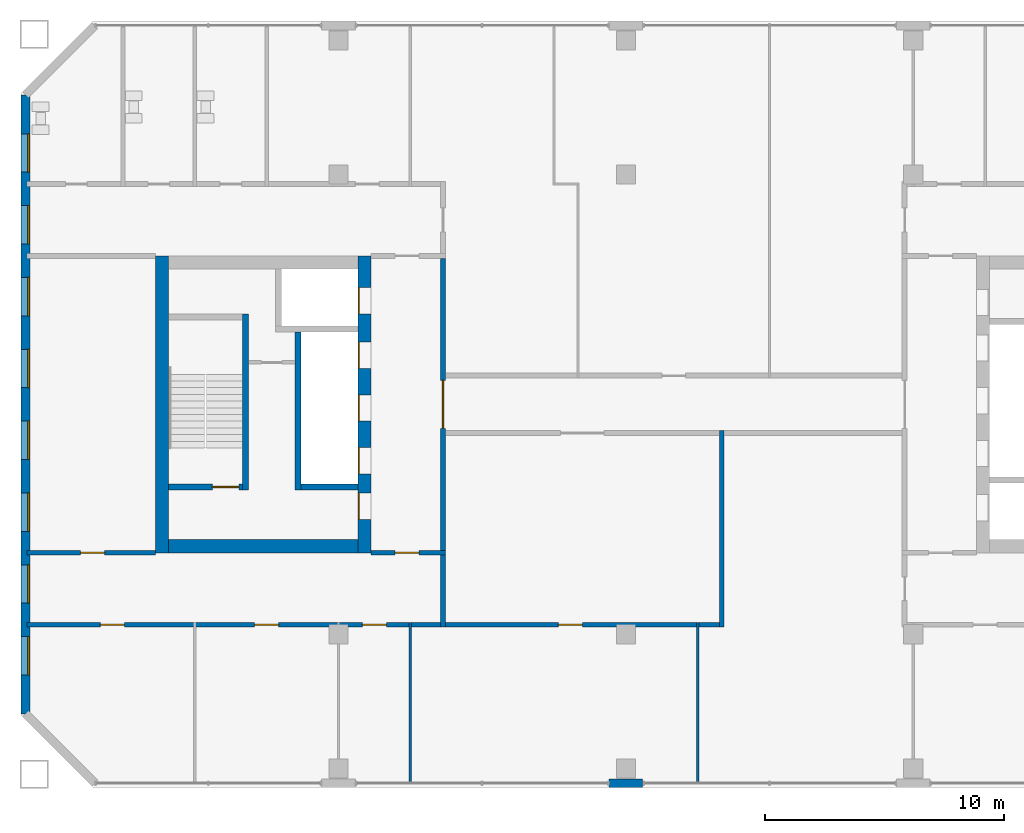
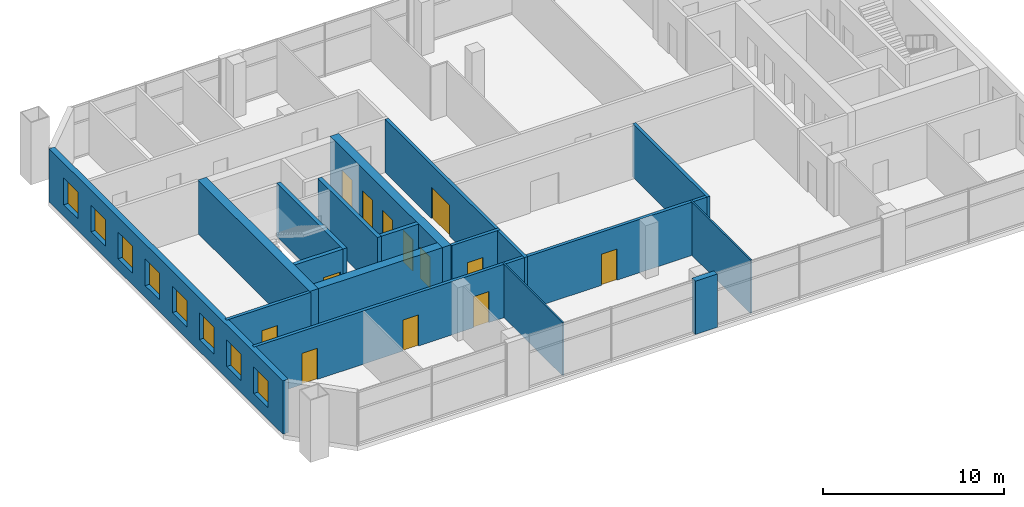
# One storey, part 9 of 17: 17 walls, 13 doors, 8 windows, 21 openings.
"""IFC4 building model written with IfcOpenShell, lengths in metres."""

from ifc_helpers import new_model, si_unit, direction, frame, frame_2d, origin, place, context, subcontext, project, spatial, rectangle, extrude, material, layer, layer_set, type_object, element, fill, save


model = new_model("IFC4")

# Units and contexts
model_context = context("Model", 3, precision=1e-05, world=origin(), true_north=direction((0.0, 1.0)))
body_context = subcontext(model_context, "Body", "Model", "MODEL_VIEW")
ifc_project = project(units=[si_unit("LENGTHUNIT", "METRE"), si_unit("AREAUNIT", "SQUARE_METRE"), si_unit("VOLUMEUNIT", "CUBIC_METRE"), si_unit("PLANEANGLEUNIT", "RADIAN"), si_unit("MASSUNIT", "GRAM", prefix="KILO")], contexts=[model_context])

# Site, building, storey
site_placement = place(None, origin())
site = spatial("IfcSite", under=ifc_project, at=site_placement, CompositionType="ELEMENT")
building_placement = place(site_placement, origin())
building = spatial("IfcBuilding", under=site, at=building_placement, Name="Tuart Gate Housing", CompositionType="ELEMENT")
storey_placement = place(building_placement, frame((0.0, 0.0, 119.5)))
storey = spatial("IfcBuildingStorey", under=building, at=storey_placement, Name="L33", CompositionType="ELEMENT", Elevation=119.5)

# Wall
ifc_material_1 = material(Name="Brick", Category="masonry")
ifc_layer_1 = layer(ifc_material_1, 0.360107421875)
ifc_layer_set_1 = layer_set([ifc_layer_1], Name="Brick pier and spandrel wall 360")
wall_type_1 = type_object("IfcWallType", Name="Brick pier and spandrel wall 360", PredefinedType="STANDARD", material=ifc_layer_set_1)
wall_1_placement = place(storey_placement, frame((51.300048828125, 54.179931640625, 0.0), z_axis=(0.0, 0.0, 1.0), x_axis=(1.0, 0.0, 0.0)))
element("IfcWall", 1, at=wall_1_placement, inside=storey, type_object=wall_type_1, Name="External wall A-S L33", PredefinedType="STANDARD", context=body_context, shape_type="SweptSolid", body=[
    extrude(rectangle(XDim=1.39990234375, YDim=0.360107421875, at=frame_2d((0.699951171875, 0.0))), origin(), (0.0, 0.0, 1.0), 3.60009765625),
])

# Wall, openings, windows
wall_2_placement = place(storey_placement, frame((26.929931640625, 82.92529296875, 0.0), z_axis=(0.0, 0.0, 1.0), x_axis=(0.0, -1.0, 0.0)))
wall_2 = element("IfcWall", 2, at=wall_2_placement, inside=storey, type_object=wall_type_1, Name="External wall A-W L33", PredefinedType="STANDARD", context=body_context, shape_type="SweptSolid", body=[
    extrude(rectangle(XDim=25.850830078125, YDim=0.360107421875, at=frame_2d((12.92529296875, 0.0))), origin(), (0.0, 0.0, 1.0), 3.60009765625),
])
opening_1_placement = place(wall_2_placement, frame((1.62548828125, 0.0, 0.800048828125)))
opening_1 = element("IfcOpeningElement", 3, at=opening_1_placement, cuts=wall_2, Name="Opening W1", PredefinedType="OPENING", context=body_context, shape_type="SweptSolid", body=[
    extrude(rectangle(XDim=1.60009765625, YDim=1.800048828125, at=frame_2d((0.800048828125, 0.89990234375))), frame((0.0, 0.18994140625, 0.0), z_axis=(0.0, -1.0, 0.0), x_axis=(1.0, 0.0, 0.0)), (0.0, 0.0, 1.0), 0.380126953125),
])
opening_2_placement = place(wall_2_placement, frame((4.62548828125, 0.0, 0.800048828125)))
opening_2 = element("IfcOpeningElement", 4, at=opening_2_placement, cuts=wall_2, Name="Opening W1", PredefinedType="OPENING", context=body_context, shape_type="SweptSolid", body=[
    extrude(rectangle(XDim=1.60009765625, YDim=1.800048828125, at=frame_2d((0.800048828125, 0.89990234375))), frame((0.0, 0.18994140625, 0.0), z_axis=(0.0, -1.0, 0.0), x_axis=(1.0, 0.0, 0.0)), (0.0, 0.0, 1.0), 0.380126953125),
])
opening_3_placement = place(wall_2_placement, frame((7.62548828125, 0.0, 0.800048828125)))
opening_3 = element("IfcOpeningElement", 5, at=opening_3_placement, cuts=wall_2, Name="Opening W1", PredefinedType="OPENING", context=body_context, shape_type="SweptSolid", body=[
    extrude(rectangle(XDim=1.60009765625, YDim=1.800048828125, at=frame_2d((0.800048828125, 0.89990234375))), frame((0.0, 0.18994140625, 0.0), z_axis=(0.0, -1.0, 0.0), x_axis=(1.0, 0.0, 0.0)), (0.0, 0.0, 1.0), 0.380126953125),
])
opening_4_placement = place(wall_2_placement, frame((10.62548828125, 0.0, 0.800048828125)))
opening_4 = element("IfcOpeningElement", 6, at=opening_4_placement, cuts=wall_2, Name="Opening W1", PredefinedType="OPENING", context=body_context, shape_type="SweptSolid", body=[
    extrude(rectangle(XDim=1.60009765625, YDim=1.800048828125, at=frame_2d((0.800048828125, 0.89990234375))), frame((0.0, 0.18994140625, 0.0), z_axis=(0.0, -1.0, 0.0), x_axis=(1.0, 0.0, 0.0)), (0.0, 0.0, 1.0), 0.380126953125),
])
opening_5_placement = place(wall_2_placement, frame((13.62548828125, 0.0, 0.800048828125)))
opening_5 = element("IfcOpeningElement", 7, at=opening_5_placement, cuts=wall_2, Name="Opening W1", PredefinedType="OPENING", context=body_context, shape_type="SweptSolid", body=[
    extrude(rectangle(XDim=1.60009765625, YDim=1.800048828125, at=frame_2d((0.800048828125, 0.89990234375))), frame((0.0, 0.18994140625, 0.0), z_axis=(0.0, -1.0, 0.0), x_axis=(1.0, 0.0, 0.0)), (0.0, 0.0, 1.0), 0.380126953125),
])
opening_6_placement = place(wall_2_placement, frame((16.62548828125, 0.0, 0.800048828125)))
opening_6 = element("IfcOpeningElement", 8, at=opening_6_placement, cuts=wall_2, Name="Opening W1", PredefinedType="OPENING", context=body_context, shape_type="SweptSolid", body=[
    extrude(rectangle(XDim=1.60009765625, YDim=1.800048828125, at=frame_2d((0.800048828125, 0.89990234375))), frame((0.0, 0.18994140625, 0.0), z_axis=(0.0, -1.0, 0.0), x_axis=(1.0, 0.0, 0.0)), (0.0, 0.0, 1.0), 0.380126953125),
])
opening_7_placement = place(wall_2_placement, frame((19.62548828125, 0.0, 0.800048828125)))
opening_7 = element("IfcOpeningElement", 9, at=opening_7_placement, cuts=wall_2, Name="Opening W1", PredefinedType="OPENING", context=body_context, shape_type="SweptSolid", body=[
    extrude(rectangle(XDim=1.60009765625, YDim=1.800048828125, at=frame_2d((0.800048828125, 0.89990234375))), frame((0.0, 0.18994140625, 0.0), z_axis=(0.0, -1.0, 0.0), x_axis=(1.0, 0.0, 0.0)), (0.0, 0.0, 1.0), 0.380126953125),
])
opening_8_placement = place(wall_2_placement, frame((22.62548828125, 0.0, 0.800048828125)))
opening_8 = element("IfcOpeningElement", 10, at=opening_8_placement, cuts=wall_2, Name="Opening W1", PredefinedType="OPENING", context=body_context, shape_type="SweptSolid", body=[
    extrude(rectangle(XDim=1.60009765625, YDim=1.800048828125, at=frame_2d((0.800048828125, 0.89990234375))), frame((0.0, 0.18994140625, 0.0), z_axis=(0.0, -1.0, 0.0), x_axis=(1.0, 0.0, 0.0)), (0.0, 0.0, 1.0), 0.380126953125),
])
ifc_material_2 = material(Name="Aluminium frame with clear glass", Category="aluminium")
window_type = type_object("IfcWindowType", Name="Punched window 1600 x 1800", PartitioningType="SINGLE_PANEL", PredefinedType="WINDOW", material=ifc_material_2)
window_1_placement = place(opening_1_placement, origin())
window_1 = element("IfcWindow", 11, at=window_1_placement, inside=storey, type_object=window_type, Name="Window W1", OverallHeight=1.800048828125, OverallWidth=1.60009765625, PartitioningType="SINGLE_PANEL", PredefinedType="WINDOW", context=body_context, shape_type="SweptSolid", body=[
    extrude(rectangle(XDim=1.60009765625, YDim=1.800048828125, at=frame_2d((0.800048828125, 0.89990234375))), frame((0.0, 0.150146484375, 0.0), z_axis=(0.0, -1.0, 0.0), x_axis=(1.0, 0.0, 0.0)), (0.0, 0.0, 1.0), 0.06005859375),
])
fill(opening_1, window_1)
window_2_placement = place(opening_2_placement, origin())
window_2 = element("IfcWindow", 12, at=window_2_placement, inside=storey, type_object=window_type, Name="Window W1", OverallHeight=1.800048828125, OverallWidth=1.60009765625, PartitioningType="SINGLE_PANEL", PredefinedType="WINDOW", context=body_context, shape_type="SweptSolid", body=[
    extrude(rectangle(XDim=1.60009765625, YDim=1.800048828125, at=frame_2d((0.800048828125, 0.89990234375))), frame((0.0, 0.150146484375, 0.0), z_axis=(0.0, -1.0, 0.0), x_axis=(1.0, 0.0, 0.0)), (0.0, 0.0, 1.0), 0.06005859375),
])
fill(opening_2, window_2)
window_3_placement = place(opening_3_placement, origin())
window_3 = element("IfcWindow", 13, at=window_3_placement, inside=storey, type_object=window_type, Name="Window W1", OverallHeight=1.800048828125, OverallWidth=1.60009765625, PartitioningType="SINGLE_PANEL", PredefinedType="WINDOW", context=body_context, shape_type="SweptSolid", body=[
    extrude(rectangle(XDim=1.60009765625, YDim=1.800048828125, at=frame_2d((0.800048828125, 0.89990234375))), frame((0.0, 0.150146484375, 0.0), z_axis=(0.0, -1.0, 0.0), x_axis=(1.0, 0.0, 0.0)), (0.0, 0.0, 1.0), 0.06005859375),
])
fill(opening_3, window_3)
window_4_placement = place(opening_4_placement, origin())
window_4 = element("IfcWindow", 14, at=window_4_placement, inside=storey, type_object=window_type, Name="Window W1", OverallHeight=1.800048828125, OverallWidth=1.60009765625, PartitioningType="SINGLE_PANEL", PredefinedType="WINDOW", context=body_context, shape_type="SweptSolid", body=[
    extrude(rectangle(XDim=1.60009765625, YDim=1.800048828125, at=frame_2d((0.800048828125, 0.89990234375))), frame((0.0, 0.150146484375, 0.0), z_axis=(0.0, -1.0, 0.0), x_axis=(1.0, 0.0, 0.0)), (0.0, 0.0, 1.0), 0.06005859375),
])
fill(opening_4, window_4)
window_5_placement = place(opening_5_placement, origin())
window_5 = element("IfcWindow", 15, at=window_5_placement, inside=storey, type_object=window_type, Name="Window W1", OverallHeight=1.800048828125, OverallWidth=1.60009765625, PartitioningType="SINGLE_PANEL", PredefinedType="WINDOW", context=body_context, shape_type="SweptSolid", body=[
    extrude(rectangle(XDim=1.60009765625, YDim=1.800048828125, at=frame_2d((0.800048828125, 0.89990234375))), frame((0.0, 0.150146484375, 0.0), z_axis=(0.0, -1.0, 0.0), x_axis=(1.0, 0.0, 0.0)), (0.0, 0.0, 1.0), 0.06005859375),
])
fill(opening_5, window_5)
window_6_placement = place(opening_6_placement, origin())
window_6 = element("IfcWindow", 16, at=window_6_placement, inside=storey, type_object=window_type, Name="Window W1", OverallHeight=1.800048828125, OverallWidth=1.60009765625, PartitioningType="SINGLE_PANEL", PredefinedType="WINDOW", context=body_context, shape_type="SweptSolid", body=[
    extrude(rectangle(XDim=1.60009765625, YDim=1.800048828125, at=frame_2d((0.800048828125, 0.89990234375))), frame((0.0, 0.150146484375, 0.0), z_axis=(0.0, -1.0, 0.0), x_axis=(1.0, 0.0, 0.0)), (0.0, 0.0, 1.0), 0.06005859375),
])
fill(opening_6, window_6)
window_7_placement = place(opening_7_placement, origin())
window_7 = element("IfcWindow", 17, at=window_7_placement, inside=storey, type_object=window_type, Name="Window W1", OverallHeight=1.800048828125, OverallWidth=1.60009765625, PartitioningType="SINGLE_PANEL", PredefinedType="WINDOW", context=body_context, shape_type="SweptSolid", body=[
    extrude(rectangle(XDim=1.60009765625, YDim=1.800048828125, at=frame_2d((0.800048828125, 0.89990234375))), frame((0.0, 0.150146484375, 0.0), z_axis=(0.0, -1.0, 0.0), x_axis=(1.0, 0.0, 0.0)), (0.0, 0.0, 1.0), 0.06005859375),
])
fill(opening_7, window_7)
window_8_placement = place(opening_8_placement, origin())
window_8 = element("IfcWindow", 18, at=window_8_placement, inside=storey, type_object=window_type, Name="Window W1", OverallHeight=1.800048828125, OverallWidth=1.60009765625, PartitioningType="SINGLE_PANEL", PredefinedType="WINDOW", context=body_context, shape_type="SweptSolid", body=[
    extrude(rectangle(XDim=1.60009765625, YDim=1.800048828125, at=frame_2d((0.800048828125, 0.89990234375))), frame((0.0, 0.150146484375, 0.0), z_axis=(0.0, -1.0, 0.0), x_axis=(1.0, 0.0, 0.0)), (0.0, 0.0, 1.0), 0.06005859375),
])
fill(opening_8, window_8)

# Wall
ifc_material_3 = material(Name="Concrete C50", Category="concrete")
ifc_layer_2 = layer(ifc_material_3, 0.25)
ifc_layer_set_2 = layer_set([ifc_layer_2], Name="Core wall 250 C50")
wall_type_2 = type_object("IfcWallType", Name="Core wall 250 C50", PredefinedType="SHEAR", material=ifc_layer_set_2)
wall_3_placement = place(storey_placement, frame((40.81005859375, 66.550048828125, 0.0), z_axis=(0.0, 0.0, 1.0), x_axis=(-1.0, 0.0, 0.0)))
element("IfcWall", 19, at=wall_3_placement, inside=storey, type_object=wall_type_2, Name="Core wall AK.4", PredefinedType="SHEAR", context=body_context, shape_type="SweptSolid", body=[
    extrude(rectangle(XDim=2.375, YDim=0.25, at=frame_2d((1.1875, 0.0))), origin(), (0.0, 0.0, 1.0), 3.60009765625),
])

# Wall, opening, door
wall_4_placement = place(storey_placement, frame((35.985107421875, 66.550048828125, 0.0), z_axis=(0.0, 0.0, 1.0), x_axis=(-1.0, 0.0, 0.0)))
wall_4 = element("IfcWall", 20, at=wall_4_placement, inside=storey, type_object=wall_type_2, Name="Core wall AK.5", PredefinedType="SHEAR", context=body_context, shape_type="SweptSolid", body=[
    extrude(rectangle(XDim=3.0751953125, YDim=0.25, at=frame_2d((1.53759765625, 0.0))), origin(), (0.0, 0.0, 1.0), 3.60009765625),
])
opening_9_placement = place(wall_4_placement, frame((0.14990234375, 0.0, 0.0)))
opening_9 = element("IfcOpeningElement", 21, at=opening_9_placement, cuts=wall_4, Name="Opening D163", PredefinedType="OPENING", context=body_context, shape_type="SweptSolid", body=[
    extrude(rectangle(XDim=1.10009765625, YDim=2.10009765625, at=frame_2d((0.550048828125, 1.050048828125))), frame((0.0, 0.135009765625, 0.0), z_axis=(0.0, -1.0, 0.0), x_axis=(1.0, 0.0, 0.0)), (0.0, 0.0, 1.0), 0.27001953125),
])
ifc_material_4 = material(Name="Steel fire door", Category="steel")
door_type_1 = type_object("IfcDoorType", Name="Stair door 1100 x 2100 RH", OperationType="SINGLE_SWING_RIGHT", PredefinedType="DOOR", material=ifc_material_4)
door_1_placement = place(opening_9_placement, frame((1.10009765625, 0.0, 0.0), z_axis=(0.0, 0.0, 1.0), x_axis=(-1.0, 0.0, 0.0)))
door_1 = element("IfcDoor", 22, at=door_1_placement, inside=storey, type_object=door_type_1, Name="Stair door AK.SD", OperationType="SINGLE_SWING_RIGHT", OverallHeight=2.10009765625, OverallWidth=1.10009765625, PredefinedType="DOOR", context=body_context, shape_type="SweptSolid", body=[
    extrude(rectangle(XDim=1.10009765625, YDim=2.10009765625, at=frame_2d((0.550048828125, 1.050048828125))), frame((0.0, 0.025146484375, 0.0), z_axis=(0.0, -1.0, 0.0), x_axis=(1.0, 0.0, 0.0)), (0.0, 0.0, 1.0), 0.050048828125),
])
fill(opening_9, door_1)

# Walls
wall_5_placement = place(storey_placement, frame((38.31005859375, 73.02490234375, 0.0), z_axis=(0.0, 0.0, 1.0), x_axis=(0.0, -1.0, 0.0)))
element("IfcWall", 23, at=wall_5_placement, inside=storey, type_object=wall_type_2, Name="Core wall AK.6", PredefinedType="SHEAR", context=body_context, shape_type="SweptSolid", body=[
    extrude(rectangle(XDim=6.599853515625, YDim=0.25, at=frame_2d((3.2998046875, 0.0))), origin(), (0.0, 0.0, 1.0), 3.60009765625),
])
wall_6_placement = place(storey_placement, frame((36.110107421875, 73.77490234375, 0.0), z_axis=(0.0, 0.0, 1.0), x_axis=(0.0, -1.0, 0.0)))
element("IfcWall", 24, at=wall_6_placement, inside=storey, type_object=wall_type_2, Name="Core wall AK.8", PredefinedType="SHEAR", context=body_context, shape_type="SweptSolid", body=[
    extrude(rectangle(XDim=7.349853515625, YDim=0.25, at=frame_2d((3.6748046875, 0.0))), origin(), (0.0, 0.0, 1.0), 3.60009765625),
])

# Wall, openings, doors
ifc_material_5 = material(Name="Concrete C50", Category="concrete")
ifc_layer_3 = layer(ifc_material_5, 0.550048828125)
ifc_layer_set_3 = layer_set([ifc_layer_3], Name="Core wall 550 C50")
wall_type_3 = type_object("IfcWallType", Name="Core wall 550 C50", PredefinedType="SHEAR", material=ifc_layer_set_3)
wall_7_placement = place(storey_placement, frame((41.0849609375, 76.199951171875, 0.0), z_axis=(0.0, 0.0, 1.0), x_axis=(0.0, -1.0, 0.0)))
wall_7 = element("IfcWall", 25, at=wall_7_placement, inside=storey, type_object=wall_type_3, Name="Core wall AK front", PredefinedType="SHEAR", context=body_context, shape_type="SweptSolid", body=[
    extrude(rectangle(XDim=12.39990234375, YDim=0.550048828125, at=frame_2d((6.199951171875, 0.0))), origin(), (0.0, 0.0, 1.0), 3.60009765625),
])
opening_10_placement = place(wall_7_placement, frame((1.324951171875, 0.0, 0.0)))
opening_10 = element("IfcOpeningElement", 26, at=opening_10_placement, cuts=wall_7, Name="Opening LD-FA2", PredefinedType="OPENING", context=body_context, shape_type="SweptSolid", body=[
    extrude(rectangle(XDim=1.10009765625, YDim=2.10009765625, at=frame_2d((0.550048828125, 1.050048828125))), frame((0.0, 0.284912109375, 0.0), z_axis=(0.0, -1.0, 0.0), x_axis=(1.0, 0.0, 0.0)), (0.0, 0.0, 1.0), 0.570068359375),
])
opening_11_placement = place(wall_7_placement, frame((3.60009765625, 0.0, 0.0)))
opening_11 = element("IfcOpeningElement", 27, at=opening_11_placement, cuts=wall_7, Name="Opening LD-LA4", PredefinedType="OPENING", context=body_context, shape_type="SweptSolid", body=[
    extrude(rectangle(XDim=1.10009765625, YDim=2.10009765625, at=frame_2d((0.550048828125, 1.050048828125))), frame((0.0, 0.284912109375, 0.0), z_axis=(0.0, -1.0, 0.0), x_axis=(1.0, 0.0, 0.0)), (0.0, 0.0, 1.0), 0.570068359375),
])
opening_12_placement = place(wall_7_placement, frame((5.800048828125, 0.0, 0.0)))
opening_12 = element("IfcOpeningElement", 28, at=opening_12_placement, cuts=wall_7, Name="Opening LD-LA5", PredefinedType="OPENING", context=body_context, shape_type="SweptSolid", body=[
    extrude(rectangle(XDim=1.10009765625, YDim=2.10009765625, at=frame_2d((0.550048828125, 1.050048828125))), frame((0.0, 0.284912109375, 0.0), z_axis=(0.0, -1.0, 0.0), x_axis=(1.0, 0.0, 0.0)), (0.0, 0.0, 1.0), 0.570068359375),
])
opening_13_placement = place(wall_7_placement, frame((8.0, 0.0, 0.0)))
opening_13 = element("IfcOpeningElement", 29, at=opening_13_placement, cuts=wall_7, Name="Opening LD-LA6", PredefinedType="OPENING", context=body_context, shape_type="SweptSolid", body=[
    extrude(rectangle(XDim=1.10009765625, YDim=2.10009765625, at=frame_2d((0.550048828125, 1.050048828125))), frame((0.0, 0.284912109375, 0.0), z_axis=(0.0, -1.0, 0.0), x_axis=(1.0, 0.0, 0.0)), (0.0, 0.0, 1.0), 0.570068359375),
])
opening_14_placement = place(wall_7_placement, frame((9.89990234375, 0.0, 0.0)))
opening_14 = element("IfcOpeningElement", 30, at=opening_14_placement, cuts=wall_7, Name="Opening D156", PredefinedType="OPENING", context=body_context, shape_type="SweptSolid", body=[
    extrude(rectangle(XDim=1.10009765625, YDim=2.10009765625, at=frame_2d((0.550048828125, 1.050048828125))), frame((0.0, 0.284912109375, 0.0), z_axis=(0.0, -1.0, 0.0), x_axis=(1.0, 0.0, 0.0)), (0.0, 0.0, 1.0), 0.570068359375),
])
ifc_material_6 = material(Name="Stainless steel", Category="steel")
door_type_2 = type_object("IfcDoorType", Name="Landing door 1100 x 2100", OperationType="DOUBLE_DOOR_SLIDING", PredefinedType="DOOR", material=ifc_material_6)
door_2_placement = place(opening_10_placement, origin())
door_2 = element("IfcDoor", 31, at=door_2_placement, inside=storey, type_object=door_type_2, Name="Lift landing door FA2", OperationType="DOUBLE_DOOR_SLIDING", OverallHeight=2.10009765625, OverallWidth=1.10009765625, PredefinedType="DOOR", context=body_context, shape_type="SweptSolid", body=[
    extrude(rectangle(XDim=1.10009765625, YDim=2.10009765625, at=frame_2d((0.550048828125, 1.050048828125))), frame((0.0, -0.2099609375, 0.0), z_axis=(0.0, -1.0, 0.0), x_axis=(1.0, 0.0, 0.0)), (0.0, 0.0, 1.0), 0.050048828125),
])
fill(opening_10, door_2)
door_3_placement = place(opening_11_placement, origin())
door_3 = element("IfcDoor", 32, at=door_3_placement, inside=storey, type_object=door_type_2, Name="Lift landing door LA4", OperationType="DOUBLE_DOOR_SLIDING", OverallHeight=2.10009765625, OverallWidth=1.10009765625, PredefinedType="DOOR", context=body_context, shape_type="SweptSolid", body=[
    extrude(rectangle(XDim=1.10009765625, YDim=2.10009765625, at=frame_2d((0.550048828125, 1.050048828125))), frame((0.0, -0.2099609375, 0.0), z_axis=(0.0, -1.0, 0.0), x_axis=(1.0, 0.0, 0.0)), (0.0, 0.0, 1.0), 0.050048828125),
])
fill(opening_11, door_3)
door_4_placement = place(opening_12_placement, origin())
door_4 = element("IfcDoor", 33, at=door_4_placement, inside=storey, type_object=door_type_2, Name="Lift landing door LA5", OperationType="DOUBLE_DOOR_SLIDING", OverallHeight=2.10009765625, OverallWidth=1.10009765625, PredefinedType="DOOR", context=body_context, shape_type="SweptSolid", body=[
    extrude(rectangle(XDim=1.10009765625, YDim=2.10009765625, at=frame_2d((0.550048828125, 1.050048828125))), frame((0.0, -0.2099609375, 0.0), z_axis=(0.0, -1.0, 0.0), x_axis=(1.0, 0.0, 0.0)), (0.0, 0.0, 1.0), 0.050048828125),
])
fill(opening_12, door_4)
door_5_placement = place(opening_13_placement, origin())
door_5 = element("IfcDoor", 34, at=door_5_placement, inside=storey, type_object=door_type_2, Name="Lift landing door LA6", OperationType="DOUBLE_DOOR_SLIDING", OverallHeight=2.10009765625, OverallWidth=1.10009765625, PredefinedType="DOOR", context=body_context, shape_type="SweptSolid", body=[
    extrude(rectangle(XDim=1.10009765625, YDim=2.10009765625, at=frame_2d((0.550048828125, 1.050048828125))), frame((0.0, -0.2099609375, 0.0), z_axis=(0.0, -1.0, 0.0), x_axis=(1.0, 0.0, 0.0)), (0.0, 0.0, 1.0), 0.050048828125),
])
fill(opening_13, door_5)
ifc_material_7 = material(Name="Steel fire door", Category="steel")
door_type_3 = type_object("IfcDoorType", Name="Lobby door 1100 x 2100 RH", OperationType="SINGLE_SWING_RIGHT", PredefinedType="DOOR", material=ifc_material_7)
door_6_placement = place(opening_14_placement, frame((1.10009765625, 0.0, 0.0), z_axis=(0.0, 0.0, 1.0), x_axis=(-1.0, 0.0, 0.0)))
door_6 = element("IfcDoor", 35, at=door_6_placement, inside=storey, type_object=door_type_3, Name="Lobby entry door AK.EN", OperationType="SINGLE_SWING_RIGHT", OverallHeight=2.10009765625, OverallWidth=1.10009765625, PredefinedType="DOOR", context=body_context, shape_type="SweptSolid", body=[
    extrude(rectangle(XDim=1.10009765625, YDim=2.10009765625, at=frame_2d((0.550048828125, 1.050048828125))), frame((0.0, 0.260009765625, 0.0), z_axis=(0.0, -1.0, 0.0), x_axis=(1.0, 0.0, 0.0)), (0.0, 0.0, 1.0), 0.050048828125),
])
fill(opening_14, door_6)

# Walls
wall_8_placement = place(storey_placement, frame((32.635009765625, 76.199951171875, 0.0), z_axis=(0.0, 0.0, 1.0), x_axis=(0.0, -1.0, 0.0)))
element("IfcWall", 36, at=wall_8_placement, inside=storey, type_object=wall_type_3, Name="Core wall AK back", PredefinedType="SHEAR", context=body_context, shape_type="SweptSolid", body=[
    extrude(rectangle(XDim=12.39990234375, YDim=0.550048828125, at=frame_2d((6.199951171875, 0.0))), origin(), (0.0, 0.0, 1.0), 3.60009765625),
])
wall_9_placement = place(storey_placement, frame((40.81005859375, 64.074951171875, 0.0), z_axis=(0.0, 0.0, 1.0), x_axis=(-1.0, 0.0, 0.0)))
element("IfcWall", 37, at=wall_9_placement, inside=storey, type_object=wall_type_3, Name="Core wall AK north", PredefinedType="SHEAR", context=body_context, shape_type="SweptSolid", body=[
    extrude(rectangle(XDim=7.900146484375, YDim=0.550048828125, at=frame_2d((3.9501953125, 0.0))), origin(), (0.0, 0.0, 1.0), 3.60009765625),
])

# Wall, openings, doors
ifc_material_8 = material(Name="Concrete masonry 15 MPa", Category="masonry")
ifc_layer_4 = layer(ifc_material_8, 0.199951171875)
ifc_layer_set_4 = layer_set([ifc_layer_4], Name="Corridor wall masonry 200")
wall_type_4 = type_object("IfcWallType", Name="Corridor wall masonry 200", PredefinedType="PARTITIONING", material=ifc_layer_set_4)
wall_10_placement = place(storey_placement, frame((26.989990234375, 60.800048828125, 0.0), z_axis=(0.0, 0.0, 1.0), x_axis=(1.0, 0.0, 0.0)))
wall_10 = element("IfcWall", 38, at=wall_10_placement, inside=storey, type_object=wall_type_4, Name="Corridor wall masonry 200", PredefinedType="PARTITIONING", context=body_context, shape_type="SweptSolid", body=[
    extrude(rectangle(XDim=29.110107421875, YDim=0.199951171875, at=frame_2d((14.55517578125, 0.0))), origin(), (0.0, 0.0, 1.0), 3.60009765625),
])
opening_15_placement = place(wall_10_placement, frame((3.06494140625, 0.0, 0.0)))
opening_15 = element("IfcOpeningElement", 39, at=opening_15_placement, cuts=wall_10, Name="Opening D169", PredefinedType="OPENING", context=body_context, shape_type="SweptSolid", body=[
    extrude(rectangle(XDim=1.0, YDim=2.10009765625, at=frame_2d((0.5, 1.050048828125))), frame((0.0, 0.10986328125, 0.0), z_axis=(0.0, -1.0, 0.0), x_axis=(1.0, 0.0, 0.0)), (0.0, 0.0, 1.0), 0.219970703125),
])
opening_16_placement = place(wall_10_placement, frame((9.510009765625, 0.0, 0.0)))
opening_16 = element("IfcOpeningElement", 40, at=opening_16_placement, cuts=wall_10, Name="Opening D170", PredefinedType="OPENING", context=body_context, shape_type="SweptSolid", body=[
    extrude(rectangle(XDim=1.0, YDim=2.10009765625, at=frame_2d((0.5, 1.050048828125))), frame((0.0, 0.10986328125, 0.0), z_axis=(0.0, -1.0, 0.0), x_axis=(1.0, 0.0, 0.0)), (0.0, 0.0, 1.0), 0.219970703125),
])
opening_17_placement = place(wall_10_placement, frame((14.010009765625, 0.0, 0.0)))
opening_17 = element("IfcOpeningElement", 41, at=opening_17_placement, cuts=wall_10, Name="Opening D171", PredefinedType="OPENING", context=body_context, shape_type="SweptSolid", body=[
    extrude(rectangle(XDim=1.0, YDim=2.10009765625, at=frame_2d((0.5, 1.050048828125))), frame((0.0, 0.10986328125, 0.0), z_axis=(0.0, -1.0, 0.0), x_axis=(1.0, 0.0, 0.0)), (0.0, 0.0, 1.0), 0.219970703125),
])
opening_18_placement = place(wall_10_placement, frame((22.19091796875, 0.0, 0.0)))
opening_18 = element("IfcOpeningElement", 42, at=opening_18_placement, cuts=wall_10, Name="Opening D168", PredefinedType="OPENING", context=body_context, shape_type="SweptSolid", body=[
    extrude(rectangle(XDim=1.0, YDim=2.10009765625, at=frame_2d((0.5, 1.050048828125))), frame((0.0, 0.10986328125, 0.0), z_axis=(0.0, -1.0, 0.0), x_axis=(1.0, 0.0, 0.0)), (0.0, 0.0, 1.0), 0.219970703125),
])
ifc_material_9 = material(Name="Timber door leaf in steel frame", Category="steel")
door_type_4 = type_object("IfcDoorType", Name="Fire door 1000", OperationType="SINGLE_SWING_LEFT", PredefinedType="DOOR", material=ifc_material_9)
door_7_placement = place(opening_18_placement, frame((1.0, 0.0, 0.0), z_axis=(0.0, 0.0, 1.0), x_axis=(-1.0, 0.0, 0.0)))
door_7 = element("IfcDoor", 43, at=door_7_placement, inside=storey, type_object=door_type_4, Name="Fire door 1000", OperationType="SINGLE_SWING_LEFT", OverallHeight=2.10009765625, OverallWidth=1.0, PredefinedType="DOOR", context=body_context, shape_type="SweptSolid", body=[
    extrude(rectangle(XDim=1.0, YDim=2.10009765625, at=frame_2d((0.5, 1.050048828125))), frame((0.0, 0.025146484375, 0.0), z_axis=(0.0, -1.0, 0.0), x_axis=(1.0, 0.0, 0.0)), (0.0, 0.0, 1.0), 0.050048828125),
])
fill(opening_18, door_7)
ifc_material_10 = material(Name="Timber door leaf in steel frame", Category="steel")
door_type_5 = type_object("IfcDoorType", Name="Fire door 1000 RH", OperationType="SINGLE_SWING_RIGHT", PredefinedType="DOOR", material=ifc_material_10)
door_8_placement = place(opening_15_placement, frame((1.0, 0.0, 0.0), z_axis=(0.0, 0.0, 1.0), x_axis=(-1.0, 0.0, 0.0)))
door_8 = element("IfcDoor", 44, at=door_8_placement, inside=storey, type_object=door_type_5, Name="Fire door 1000", OperationType="SINGLE_SWING_RIGHT", OverallHeight=2.10009765625, OverallWidth=1.0, PredefinedType="DOOR", context=body_context, shape_type="SweptSolid", body=[
    extrude(rectangle(XDim=1.0, YDim=2.10009765625, at=frame_2d((0.5, 1.050048828125))), frame((0.0, 0.025146484375, 0.0), z_axis=(0.0, -1.0, 0.0), x_axis=(1.0, 0.0, 0.0)), (0.0, 0.0, 1.0), 0.050048828125),
])
fill(opening_15, door_8)
door_9_placement = place(opening_16_placement, frame((1.0, 0.0, 0.0), z_axis=(0.0, 0.0, 1.0), x_axis=(-1.0, 0.0, 0.0)))
door_9 = element("IfcDoor", 45, at=door_9_placement, inside=storey, type_object=door_type_5, Name="Fire door 1000", OperationType="SINGLE_SWING_RIGHT", OverallHeight=2.10009765625, OverallWidth=1.0, PredefinedType="DOOR", context=body_context, shape_type="SweptSolid", body=[
    extrude(rectangle(XDim=1.0, YDim=2.10009765625, at=frame_2d((0.5, 1.050048828125))), frame((0.0, 0.025146484375, 0.0), z_axis=(0.0, -1.0, 0.0), x_axis=(1.0, 0.0, 0.0)), (0.0, 0.0, 1.0), 0.050048828125),
])
fill(opening_16, door_9)
door_10_placement = place(opening_17_placement, frame((1.0, 0.0, 0.0), z_axis=(0.0, 0.0, 1.0), x_axis=(-1.0, 0.0, 0.0)))
door_10 = element("IfcDoor", 46, at=door_10_placement, inside=storey, type_object=door_type_5, Name="Fire door 1000", OperationType="SINGLE_SWING_RIGHT", OverallHeight=2.10009765625, OverallWidth=1.0, PredefinedType="DOOR", context=body_context, shape_type="SweptSolid", body=[
    extrude(rectangle(XDim=1.0, YDim=2.10009765625, at=frame_2d((0.5, 1.050048828125))), frame((0.0, 0.025146484375, 0.0), z_axis=(0.0, -1.0, 0.0), x_axis=(1.0, 0.0, 0.0)), (0.0, 0.0, 1.0), 0.050048828125),
])
fill(opening_17, door_10)

# Wall, opening, door
wall_11_placement = place(storey_placement, frame((26.989990234375, 63.800048828125, 0.0), z_axis=(0.0, 0.0, 1.0), x_axis=(1.0, 0.0, 0.0)))
wall_11 = element("IfcWall", 47, at=wall_11_placement, inside=storey, type_object=wall_type_4, Name="Corridor wall masonry 200", PredefinedType="PARTITIONING", context=body_context, shape_type="SweptSolid", body=[
    extrude(rectangle(XDim=5.3701171875, YDim=0.199951171875, at=frame_2d((2.68505859375, 0.0))), origin(), (0.0, 0.0, 1.0), 3.60009765625),
])
opening_19_placement = place(wall_11_placement, frame((2.2451171875, 0.0, 0.0)))
opening_19 = element("IfcOpeningElement", 48, at=opening_19_placement, cuts=wall_11, Name="Opening D164", PredefinedType="OPENING", context=body_context, shape_type="SweptSolid", body=[
    extrude(rectangle(XDim=1.0, YDim=2.10009765625, at=frame_2d((0.5, 1.050048828125))), frame((0.0, 0.10986328125, 0.0), z_axis=(0.0, -1.0, 0.0), x_axis=(1.0, 0.0, 0.0)), (0.0, 0.0, 1.0), 0.219970703125),
])
door_11_placement = place(opening_19_placement, origin())
door_11 = element("IfcDoor", 49, at=door_11_placement, inside=storey, type_object=door_type_4, Name="Fire door 1000", OperationType="SINGLE_SWING_LEFT", OverallHeight=2.10009765625, OverallWidth=1.0, PredefinedType="DOOR", context=body_context, shape_type="SweptSolid", body=[
    extrude(rectangle(XDim=1.0, YDim=2.10009765625, at=frame_2d((0.5, 1.050048828125))), frame((0.0, 0.02490234375, 0.0), z_axis=(0.0, -1.0, 0.0), x_axis=(1.0, 0.0, 0.0)), (0.0, 0.0, 1.0), 0.050048828125),
])
fill(opening_19, door_11)

# Walls
wall_12_placement = place(storey_placement, frame((44.360107421875, 60.699951171875, 0.0), z_axis=(0.0, 0.0, 1.0), x_axis=(0.0, 1.0, 0.0)))
element("IfcWall", 50, at=wall_12_placement, inside=storey, type_object=wall_type_4, Name="Corridor wall masonry 200", PredefinedType="PARTITIONING", context=body_context, shape_type="SweptSolid", body=[
    extrude(rectangle(XDim=3.199951171875, YDim=0.199951171875, at=frame_2d((1.60009765625, 0.0))), origin(), (0.0, 0.0, 1.0), 3.60009765625),
])
wall_13_placement = place(storey_placement, frame((56.0, 60.699951171875, 0.0), z_axis=(0.0, 0.0, 1.0), x_axis=(0.0, 1.0, 0.0)))
element("IfcWall", 51, at=wall_13_placement, inside=storey, type_object=wall_type_4, Name="Corridor wall masonry 200", PredefinedType="PARTITIONING", context=body_context, shape_type="SweptSolid", body=[
    extrude(rectangle(XDim=8.199951171875, YDim=0.199951171875, at=frame_2d((4.10009765625, 0.0))), origin(), (0.0, 0.0, 1.0), 3.60009765625),
])

# Wall, opening, door
ifc_material_11 = material(Name="Concrete masonry 15 MPa", Category="masonry")
ifc_layer_5 = layer(ifc_material_11, 0.199951171875)
ifc_layer_set_5 = layer_set([ifc_layer_5], Name="Enclosure wall masonry 200")
wall_type_5 = type_object("IfcWallType", Name="Enclosure wall masonry 200", PredefinedType="PARTITIONING", material=ifc_layer_set_5)
wall_14_placement = place(storey_placement, frame((41.360107421875, 63.800048828125, 0.0), z_axis=(0.0, 0.0, 1.0), x_axis=(1.0, 0.0, 0.0)))
wall_14 = element("IfcWall", 52, at=wall_14_placement, inside=storey, type_object=wall_type_5, Name="Enclosure wall masonry 200", PredefinedType="PARTITIONING", context=body_context, shape_type="SweptSolid", body=[
    extrude(rectangle(XDim=3.099853515625, YDim=0.199951171875, at=frame_2d((1.5498046875, 0.0))), origin(), (0.0, 0.0, 1.0), 3.60009765625),
])
opening_20_placement = place(wall_14_placement, frame((1.0, 0.0, 0.0)))
opening_20 = element("IfcOpeningElement", 53, at=opening_20_placement, cuts=wall_14, Name="Opening D165", PredefinedType="OPENING", context=body_context, shape_type="SweptSolid", body=[
    extrude(rectangle(XDim=1.0, YDim=2.10009765625, at=frame_2d((0.5, 1.050048828125))), frame((0.0, 0.10986328125, 0.0), z_axis=(0.0, -1.0, 0.0), x_axis=(1.0, 0.0, 0.0)), (0.0, 0.0, 1.0), 0.219970703125),
])
ifc_material_12 = material(Name="Timber door leaf in steel frame", Category="steel")
door_type_6 = type_object("IfcDoorType", Name="Lobby door 1000", OperationType="SINGLE_SWING_LEFT", PredefinedType="DOOR", material=ifc_material_12)
door_12_placement = place(opening_20_placement, frame((1.0, 0.0, 0.0), z_axis=(0.0, 0.0, 1.0), x_axis=(-1.0, 0.0, 0.0)))
door_12 = element("IfcDoor", 54, at=door_12_placement, inside=storey, type_object=door_type_6, Name="Lobby door 1000", OperationType="SINGLE_SWING_LEFT", OverallHeight=2.10009765625, OverallWidth=1.0, PredefinedType="DOOR", context=body_context, shape_type="SweptSolid", body=[
    extrude(rectangle(XDim=1.0, YDim=2.10009765625, at=frame_2d((0.5, 1.050048828125))), frame((0.0, 0.025146484375, 0.0), z_axis=(0.0, -1.0, 0.0), x_axis=(1.0, 0.0, 0.0)), (0.0, 0.0, 1.0), 0.050048828125),
])
fill(opening_20, door_12)

ifc_material_13 = material(Name="Plasterboard partition")
ifc_layer_6 = layer(ifc_material_13, 0.199951171875)
ifc_layer_set_6 = layer_set([ifc_layer_6], Name="Lobby wall 200")
wall_type_6 = type_object("IfcWallType", Name="Lobby wall 200", PredefinedType="PARTITIONING", material=ifc_layer_set_6)
wall_15_placement = place(storey_placement, frame((44.360107421875, 63.89990234375, 0.0), z_axis=(0.0, 0.0, 1.0), x_axis=(0.0, 1.0, 0.0)))
wall_15 = element("IfcWall", 55, at=wall_15_placement, inside=storey, type_object=wall_type_6, Name="Lift lobby wall AK", PredefinedType="PARTITIONING", context=body_context, shape_type="SweptSolid", body=[
    extrude(rectangle(XDim=12.2001953125, YDim=0.199951171875, at=frame_2d((6.10009765625, 0.0))), origin(), (0.0, 0.0, 1.0), 3.60009765625),
])
opening_21_placement = place(wall_15_placement, frame((5.10009765625, 0.0, 0.0)))
opening_21 = element("IfcOpeningElement", 56, at=opening_21_placement, cuts=wall_15, Name="Opening D157", PredefinedType="OPENING", context=body_context, shape_type="SweptSolid", body=[
    extrude(rectangle(XDim=2.0, YDim=2.10009765625, at=frame_2d((1.0, 1.050048828125))), frame((0.0, 0.10986328125, 0.0), z_axis=(0.0, -1.0, 0.0), x_axis=(1.0, 0.0, 0.0)), (0.0, 0.0, 1.0), 0.219970703125),
])
ifc_material_14 = material(Name="Steel fire door", Category="steel")
door_type_7 = type_object("IfcDoorType", Name="Smoke door 2000 x 2100", OperationType="DOUBLE_DOOR_SINGLE_SWING", PredefinedType="DOOR", material=ifc_material_14)
door_13_placement = place(opening_21_placement, origin())
door_13 = element("IfcDoor", 57, at=door_13_placement, inside=storey, type_object=door_type_7, Name="Lift lobby smoke door AK", OperationType="DOUBLE_DOOR_SINGLE_SWING", OverallHeight=2.10009765625, OverallWidth=2.0, PredefinedType="DOOR", context=body_context, shape_type="SweptSolid", body=[
    extrude(rectangle(XDim=2.0, YDim=2.10009765625, at=frame_2d((1.0, 1.050048828125))), frame((0.0, 0.02490234375, 0.0), z_axis=(0.0, -1.0, 0.0), x_axis=(1.0, 0.0, 0.0)), (0.0, 0.0, 1.0), 0.050048828125),
])
fill(opening_21, door_13)

# Walls
ifc_material_15 = material(Name="Gypsum board on steel studs", Category="steel")
ifc_layer_7 = layer(ifc_material_15, 0.10009765625)
ifc_layer_set_7 = layer_set([ifc_layer_7], Name="Partition 100")
wall_type_7 = type_object("IfcWallType", Name="Partition 100", PredefinedType="PARTITIONING", material=ifc_layer_set_7)
for number, where, z_axis, x_axis, name in (
    (58, (43.0, 54.239990234375, 0.0), (0.0, 0.0, 1.0), (0.0, 1.0, 0.0), "Partition 100"),
    (59, (55.0, 54.239990234375, 0.0), (0.0, 0.0, 1.0), (0.0, 1.0, 0.0), "Partition 100"),
):
    element("IfcWall", number, at=place(storey_placement, frame(where, z_axis=z_axis, x_axis=x_axis)), inside=storey, type_object=wall_type_7, Name=name, PredefinedType="PARTITIONING", context=body_context, shape_type="SweptSolid", body=[
        extrude(rectangle(XDim=6.659912109375, YDim=0.10009765625, at=frame_2d((3.330078125, 0.0))), origin(), (0.0, 0.0, 1.0), 3.60009765625),
    ])

save(model, "model.ifc")
